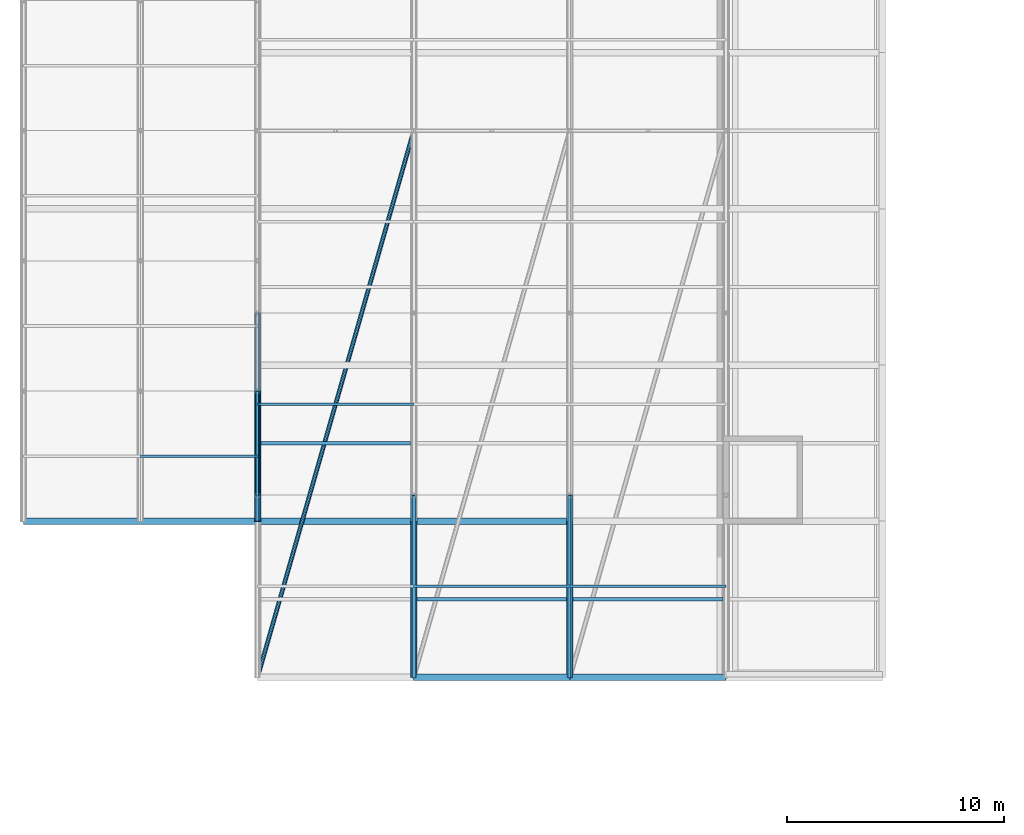
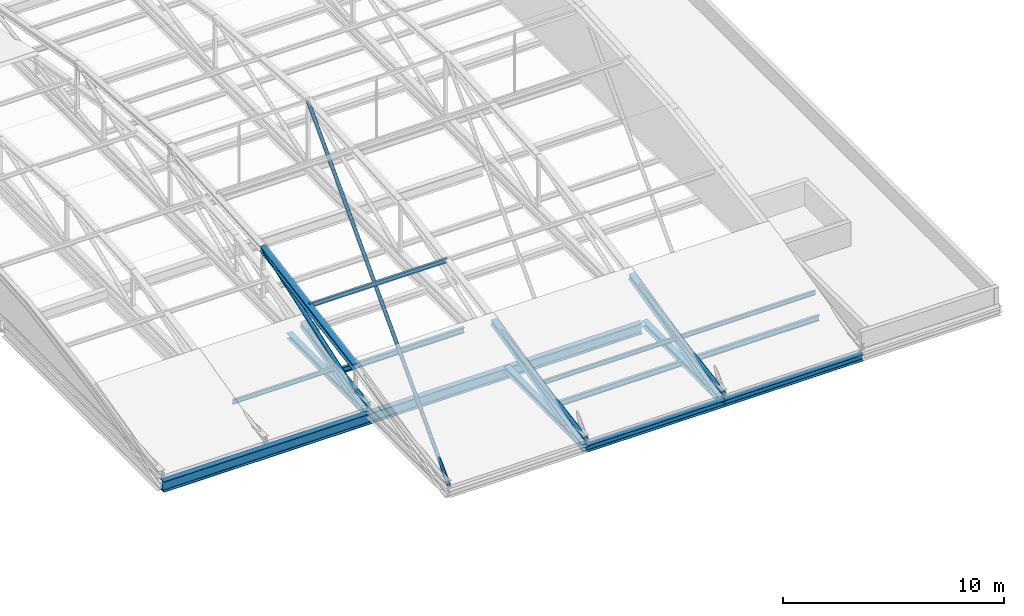
# One storey, part 11 of 76: 13 beams, 9 members.
"""IFC4 building model written with IfcOpenShell, lengths in metres."""

from ifc_helpers import new_model, si_unit, direction, frame, origin, origin_2d, place, context, subcontext, project, spatial, hollow_circle, i_section, extrude, material, material_profile, profile_set, type_object, element, save


model = new_model("IFC4")

# Units and contexts
model_context = context("Model", 3, precision=1e-05, world=origin(), true_north=direction((0.0, 1.0)))
body_context = subcontext(model_context, "Body", "Model", "MODEL_VIEW")
ifc_project = project(units=[si_unit("LENGTHUNIT", "METRE"), si_unit("AREAUNIT", "SQUARE_METRE"), si_unit("VOLUMEUNIT", "CUBIC_METRE"), si_unit("PLANEANGLEUNIT", "RADIAN"), si_unit("MASSUNIT", "GRAM", prefix="KILO")], contexts=[model_context])

# Site, building, storey
site_placement = place(None, origin())
site = spatial("IfcSite", under=ifc_project, at=site_placement, CompositionType="ELEMENT")
building_placement = place(site_placement, origin())
building = spatial("IfcBuilding", under=site, at=building_placement, Name="Zlatovets Crest Museum", CompositionType="ELEMENT")
storey_placement = place(building_placement, frame((0.0, 0.0, 17.10009765625)))
storey = spatial("IfcBuildingStorey", under=building, at=storey_placement, Name="L04", CompositionType="ELEMENT", Elevation=17.10009765625)

# Beams
ifc_material = material(Name="Structural steel S355J2", Category="steel")
ifc_material_profile_1 = material_profile(ifc_material, i_section(OverallWidth=0.300048828125, OverallDepth=0.35009765625, WebThickness=0.010009765625, FlangeThickness=0.017578125, FilletRadius=0.027099609375, at=origin_2d()), Name="HEA 360")
ifc_profile_set_1 = profile_set([ifc_material_profile_1], Name="Structural steel S355J2")
beam_type_1 = type_object("IfcBeamType", Name="Beam_B-03", PredefinedType="BEAM", material=ifc_profile_set_1)
beam_1_placement = place(storey_placement, frame((14.39990234375, 50.39990234375, -0.39501953125), z_axis=(1.0, 0.0, 0.0), x_axis=(0.0, 1.0, 0.0)))
element("IfcBeam", 1, at=beam_1_placement, inside=storey, type_object=beam_type_1, Name="V4 L04 Primary Girder B-03", PredefinedType="BEAM", context=body_context, shape_type="SweptSolid", body=[
    extrude(i_section(OverallWidth=0.300048828125, OverallDepth=0.35009765625, WebThickness=0.010009765625, FlangeThickness=0.017578125, FilletRadius=0.027099609375, at=origin_2d()), origin(), (0.0, 0.0, 1.0), 7.2001953125),
])
beam_2_placement = place(storey_placement, frame((21.60009765625, 50.39990234375, -0.39501953125), z_axis=(1.0, 0.0, 0.0), x_axis=(0.0, 1.0, 0.0)))
element("IfcBeam", 2, at=beam_2_placement, inside=storey, type_object=beam_type_1, Name="V4 L04 Primary Girder B-03", PredefinedType="BEAM", context=body_context, shape_type="SweptSolid", body=[
    extrude(i_section(OverallWidth=0.300048828125, OverallDepth=0.35009765625, WebThickness=0.010009765625, FlangeThickness=0.017578125, FilletRadius=0.027099609375, at=origin_2d()), origin(), (0.0, 0.0, 1.0), 7.199951171875),
])
ifc_material_profile_2 = material_profile(ifc_material, i_section(OverallWidth=0.300048828125, OverallDepth=0.31005859375, WebThickness=0.009033203125, FlangeThickness=0.015380859375, FilletRadius=0.027099609375, at=origin_2d()), Name="HEA 320")
ifc_profile_set_2 = profile_set([ifc_material_profile_2], Name="Structural steel S355J2")
beam_type_2 = type_object("IfcBeamType", Name="Beam_B-04", PredefinedType="BEAM", material=ifc_profile_set_2)
beam_3_placement = place(storey_placement, frame((7.199951171875, 57.60009765625, -0.375), z_axis=(0.0, 1.0, 0.0), x_axis=(-1.0, 0.0, 0.0)))
element("IfcBeam", 3, at=beam_3_placement, inside=storey, type_object=beam_type_2, Name="V4 L04 Grid Beam B-04", PredefinedType="BEAM", context=body_context, shape_type="SweptSolid", body=[
    extrude(i_section(OverallWidth=0.300048828125, OverallDepth=0.31005859375, WebThickness=0.009033203125, FlangeThickness=0.015380859375, FilletRadius=0.027099609375, at=origin_2d()), origin(), (0.0, 0.0, 1.0), 7.199951171875),
])
for number, where, z_axis, x_axis, name in (
    (4, (14.39990234375, 50.39990234375, -0.375), (0.0, 1.0, 0.0), (-1.0, 0.0, 0.0), "V4 L04 Grid Beam B-04"),
    (5, (21.60009765625, 50.39990234375, -0.375), (0.0, 1.0, 0.0), (-1.0, 0.0, 0.0), "V4 L04 Grid Beam B-04"),
):
    element("IfcBeam", number, at=place(storey_placement, frame(where, z_axis=z_axis, x_axis=x_axis)), inside=storey, type_object=beam_type_2, Name=name, PredefinedType="BEAM", context=body_context, shape_type="SweptSolid", body=[
        extrude(i_section(OverallWidth=0.300048828125, OverallDepth=0.31005859375, WebThickness=0.009033203125, FlangeThickness=0.015380859375, FilletRadius=0.027099609375, at=origin_2d()), origin(), (0.0, 0.0, 1.0), 7.2001953125),
    ])
ifc_material_profile_3 = material_profile(ifc_material, i_section(OverallWidth=0.300048828125, OverallDepth=0.590087890625, WebThickness=0.012939453125, FlangeThickness=0.02490234375, FilletRadius=0.027099609375, at=origin_2d()), Name="HEA 600")
ifc_profile_set_3 = profile_set([ifc_material_profile_3], Name="Structural steel S355J2")
beam_type_3 = type_object("IfcBeamType", Name="Beam_B-07", PredefinedType="BEAM", material=ifc_profile_set_3)
beam_4_placement = place(storey_placement, frame((-3.60009765625, 57.60009765625, -0.570068359375), z_axis=(1.0, 0.0, 0.0), x_axis=(0.0, 1.0, 0.0)))
element("IfcBeam", 6, at=beam_4_placement, inside=storey, type_object=beam_type_3, Name="Cantilever Transfer Truss TT-1 Top Chord", PredefinedType="BEAM", context=body_context, shape_type="SweptSolid", body=[
    extrude(i_section(OverallWidth=0.300048828125, OverallDepth=0.590087890625, WebThickness=0.012939453125, FlangeThickness=0.02490234375, FilletRadius=0.027099609375, at=origin_2d()), origin(), (0.0, 0.0, 1.0), 25.0400390625),
])
ifc_material_profile_4 = material_profile(ifc_material, i_section(OverallWidth=0.14990234375, OverallDepth=0.300048828125, WebThickness=0.007080078125, FlangeThickness=0.0107421875, FilletRadius=0.014892578125, at=origin_2d()), Name="IPE 300")
ifc_profile_set_4 = profile_set([ifc_material_profile_4], Name="Structural steel S355J2")
beam_type_4 = type_object("IfcBeamType", Name="Beam_J-02", PredefinedType="JOIST", material=ifc_profile_set_4)
for number, where, z_axis, x_axis, name in (
    (7, (7.35009765625, 61.199951171875, -0.3701171875), (1.0, 0.0, 0.0), (0.0, 1.0, 0.0), "V4 L04 Composite Joist J-02"),
    (8, (14.550048828125, 54.0, -0.3701171875), (1.0, 0.0, 0.0), (0.0, 1.0, 0.0), "V4 L04 Composite Joist J-02"),
    (9, (21.75, 54.0, -0.3701171875), (1.0, 0.0, 0.0), (0.0, 1.0, 0.0), "V4 L04 Composite Joist J-02"),
):
    element("IfcBeam", number, at=place(storey_placement, frame(where, z_axis=z_axis, x_axis=x_axis)), inside=storey, type_object=beam_type_4, Name=name, PredefinedType="JOIST", context=body_context, shape_type="SweptSolid", body=[
        extrude(i_section(OverallWidth=0.14990234375, OverallDepth=0.300048828125, WebThickness=0.007080078125, FlangeThickness=0.0107421875, FilletRadius=0.014892578125, at=origin_2d()), origin(), (0.0, 0.0, 1.0), 6.89990234375),
    ])
ifc_material_profile_5 = material_profile(ifc_material, i_section(OverallWidth=0.1201171875, OverallDepth=0.239990234375, WebThickness=0.006103515625, FlangeThickness=0.009765625, FilletRadius=0.014892578125, at=origin_2d()), Name="IPE 240")
ifc_profile_set_5 = profile_set([ifc_material_profile_5], Name="Structural steel S355J2")
beam_type_5 = type_object("IfcBeamType", Name="Beam_PR-01", PredefinedType="BEAM", material=ifc_profile_set_5)
beam_5_placement = place(storey_placement, frame((7.199951171875, 63.0, 2.33203125), z_axis=(1.0, 0.0, 0.0), x_axis=(0.0, 1.0, 0.0)))
element("IfcBeam", 10, at=beam_5_placement, inside=storey, type_object=beam_type_5, Name="V4 Barrel Vault Longitudinal Purlin", PredefinedType="BEAM", context=body_context, shape_type="SweptSolid", body=[
    extrude(i_section(OverallWidth=0.1201171875, OverallDepth=0.239990234375, WebThickness=0.006103515625, FlangeThickness=0.009765625, FilletRadius=0.014892578125, at=origin_2d()), origin(), (0.0, 0.0, 1.0), 7.199951171875),
])
beam_6_placement = place(storey_placement, frame((14.39990234375, 54.60009765625, 0.599853515625), z_axis=(1.0, 0.0, 0.0), x_axis=(0.0, 1.0, 0.0)))
element("IfcBeam", 11, at=beam_6_placement, inside=storey, type_object=beam_type_5, Name="V4 Barrel Vault Longitudinal Purlin", PredefinedType="BEAM", context=body_context, shape_type="SweptSolid", body=[
    extrude(i_section(OverallWidth=0.1201171875, OverallDepth=0.239990234375, WebThickness=0.006103515625, FlangeThickness=0.009765625, FilletRadius=0.014892578125, at=origin_2d()), origin(), (0.0, 0.0, 1.0), 7.2001953125),
])
beam_7_placement = place(storey_placement, frame((21.60009765625, 54.60009765625, 0.599853515625), z_axis=(1.0, 0.0, 0.0), x_axis=(0.0, 1.0, 0.0)))
element("IfcBeam", 12, at=beam_7_placement, inside=storey, type_object=beam_type_5, Name="V4 Barrel Vault Longitudinal Purlin", PredefinedType="BEAM", context=body_context, shape_type="SweptSolid", body=[
    extrude(i_section(OverallWidth=0.1201171875, OverallDepth=0.239990234375, WebThickness=0.006103515625, FlangeThickness=0.009765625, FilletRadius=0.014892578125, at=origin_2d()), origin(), (0.0, 0.0, 1.0), 7.199951171875),
])
beam_8_placement = place(storey_placement, frame((1.800048828125, 60.60009765625, 0.349853515625), z_axis=(1.0, 0.0, 0.0), x_axis=(0.0, 1.0, 0.0)))
element("IfcBeam", 13, at=beam_8_placement, inside=storey, type_object=beam_type_5, Name="V4 Barrel Vault Longitudinal Purlin", PredefinedType="BEAM", context=body_context, shape_type="SweptSolid", body=[
    extrude(i_section(OverallWidth=0.1201171875, OverallDepth=0.239990234375, WebThickness=0.006103515625, FlangeThickness=0.009765625, FilletRadius=0.014892578125, at=origin_2d()), origin(), (0.0, 0.0, 1.0), 5.39990234375),
])

# Members
ifc_material_profile_6 = material_profile(ifc_material, i_section(OverallWidth=0.300048828125, OverallDepth=0.31005859375, WebThickness=0.009033203125, FlangeThickness=0.015380859375, FilletRadius=0.027099609375, at=origin_2d()), Name="HEA 320")
ifc_profile_set_6 = profile_set([ifc_material_profile_6], Name="Structural steel S355J2")
member_type_1 = type_object("IfcMemberType", Name="Member_TM-02", PredefinedType="RAFTER", material=ifc_profile_set_6)
member_1_placement = place(storey_placement, frame((7.199951171875, 58.800048828125, 1.5), z_axis=(0.0, 0.985147168776, 0.171712130766), x_axis=(-1.0, 0.0, 0.0)))
element("IfcMember", 14, at=member_1_placement, inside=storey, type_object=member_type_1, Name="V4 Art Nouveau Curved Vault Rib", PredefinedType="RAFTER", context=body_context, shape_type="SweptSolid", body=[
    extrude(i_section(OverallWidth=0.300048828125, OverallDepth=0.31005859375, WebThickness=0.009033203125, FlangeThickness=0.015380859375, FilletRadius=0.027099609375, at=origin_2d()), origin(), (0.0, 0.0, 1.0), 8.526611328125),
])
for number, where, z_axis, x_axis, name in (
    (15, (14.39990234375, 50.39990234375, -0.5), (0.0, 0.97280712477, 0.231616704918), (-1.0, 0.0, 0.0), "V4 Art Nouveau Curved Vault Rib"),
    (16, (21.60009765625, 50.39990234375, -0.5), (0.0, 0.97280712477, 0.231616704918), (-1.0, 0.0, 0.0), "V4 Art Nouveau Curved Vault Rib"),
):
    element("IfcMember", number, at=place(storey_placement, frame(where, z_axis=z_axis, x_axis=x_axis)), inside=storey, type_object=member_type_1, Name=name, PredefinedType="RAFTER", context=body_context, shape_type="SweptSolid", body=[
        extrude(i_section(OverallWidth=0.300048828125, OverallDepth=0.31005859375, WebThickness=0.009033203125, FlangeThickness=0.015380859375, FilletRadius=0.027099609375, at=origin_2d()), origin(), (0.0, 0.0, 1.0), 8.635009765625),
    ])
member_2_placement = place(storey_placement, frame((7.199951171875, 57.60009765625, -0.5), z_axis=(0.0, 0.970142500145, 0.242535625036), x_axis=(-1.0, 0.0, 0.0)))
element("IfcMember", 17, at=member_2_placement, inside=storey, type_object=member_type_1, Name="V4 Art Nouveau Curved Vault Rib", PredefinedType="RAFTER", context=body_context, shape_type="SweptSolid", body=[
    extrude(i_section(OverallWidth=0.300048828125, OverallDepth=0.31005859375, WebThickness=0.009033203125, FlangeThickness=0.015380859375, FilletRadius=0.027099609375, at=origin_2d()), origin(), (0.0, 0.0, 1.0), 6.1845703125),
])
ifc_material_profile_7 = material_profile(ifc_material, hollow_circle(Radius=0.109619140625, WallThickness=0.010009765625, at=origin_2d()), Name="CHS 219.1x10.0")
ifc_profile_set_7 = profile_set([ifc_material_profile_7], Name="Structural steel S355J2")
member_type_2 = type_object("IfcMemberType", Name="Member_TM-05", PredefinedType="BRACE", material=ifc_profile_set_7)
member_3_placement = place(storey_placement, frame((7.199951171875, 58.800048828125, 0.079833984375), z_axis=(0.0, 0.945796934136, 0.324758617098), x_axis=(-1.0, 0.0, 0.0)))
element("IfcMember", 18, at=member_3_placement, inside=storey, type_object=member_type_2, Name="V4 Barrel Vault Web Diagonal", PredefinedType="BRACE", context=body_context, shape_type="SweptSolid", body=[
    extrude(hollow_circle(Radius=0.109619140625, WallThickness=0.010009765625, at=origin_2d()), origin(), (0.0, 0.0, 1.0), 8.88134765625),
])
for number, where, z_axis, x_axis, name in (
    (19, (14.39990234375, 50.39990234375, 0.079833984375), (0.0, 0.986007854898, 0.166698860463), (-1.0, 0.0, 0.0), "V4 Barrel Vault Web Diagonal"),
    (20, (21.60009765625, 50.39990234375, 0.079833984375), (0.0, 0.986007854898, 0.166698860463), (-1.0, 0.0, 0.0), "V4 Barrel Vault Web Diagonal"),
):
    element("IfcMember", number, at=place(storey_placement, frame(where, z_axis=z_axis, x_axis=x_axis)), inside=storey, type_object=member_type_2, Name=name, PredefinedType="BRACE", context=body_context, shape_type="SweptSolid", body=[
        extrude(hollow_circle(Radius=0.109619140625, WallThickness=0.010009765625, at=origin_2d()), origin(), (0.0, 0.0, 1.0), 8.519287109375),
    ])
member_4_placement = place(storey_placement, frame((7.199951171875, 57.60009765625, 0.079833984375), z_axis=(0.0, 0.988443656931, 0.151588710245), x_axis=(-1.0, 0.0, 0.0)))
element("IfcMember", 21, at=member_4_placement, inside=storey, type_object=member_type_2, Name="V4 Barrel Vault Web Diagonal", PredefinedType="BRACE", context=body_context, shape_type="SweptSolid", body=[
    extrude(hollow_circle(Radius=0.109619140625, WallThickness=0.010009765625, at=origin_2d()), origin(), (0.0, 0.0, 1.0), 6.070068359375),
])
ifc_material_profile_8 = material_profile(ifc_material, hollow_circle(Radius=0.096923828125, WallThickness=0.010009765625, at=origin_2d()), Name="CHS 193.7x10.0")
ifc_profile_set_8 = profile_set([ifc_material_profile_8], Name="Structural steel S355J2")
member_type_3 = type_object("IfcMemberType", Name="Member_TM-10", PredefinedType="BRACE", material=ifc_profile_set_8)
member_5_placement = place(storey_placement, frame((7.199951171875, 50.39990234375, 0.079833984375), z_axis=(0.272407714197, 0.953440855155, 0.129400822901), x_axis=(-0.961525002196, 0.274717436928, 0.0)))
element("IfcMember", 22, at=member_5_placement, inside=storey, type_object=member_type_3, Name="Gallery Vault Roof Plan Brace", PredefinedType="BRACE", context=body_context, shape_type="SweptSolid", body=[
    extrude(hollow_circle(Radius=0.096923828125, WallThickness=0.010009765625, at=origin_2d()), origin(), (0.0, 0.0, 1.0), 26.430908203125),
])

save(model, "model.ifc")
